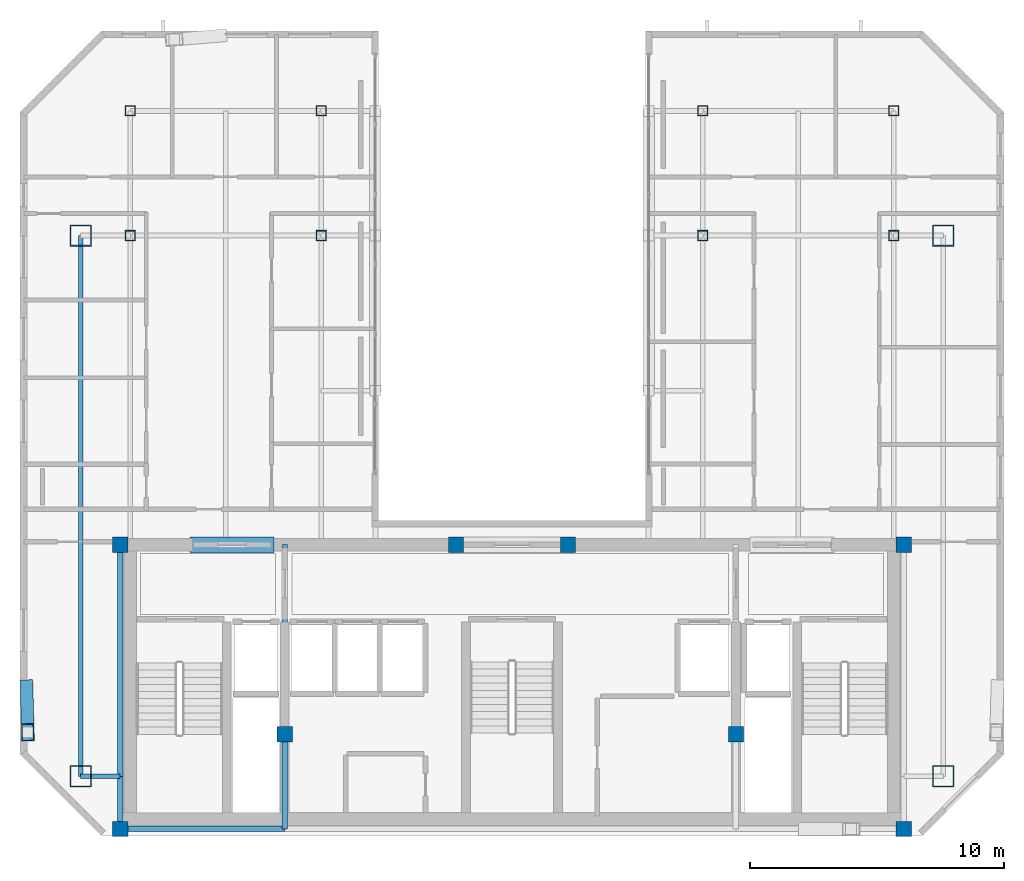
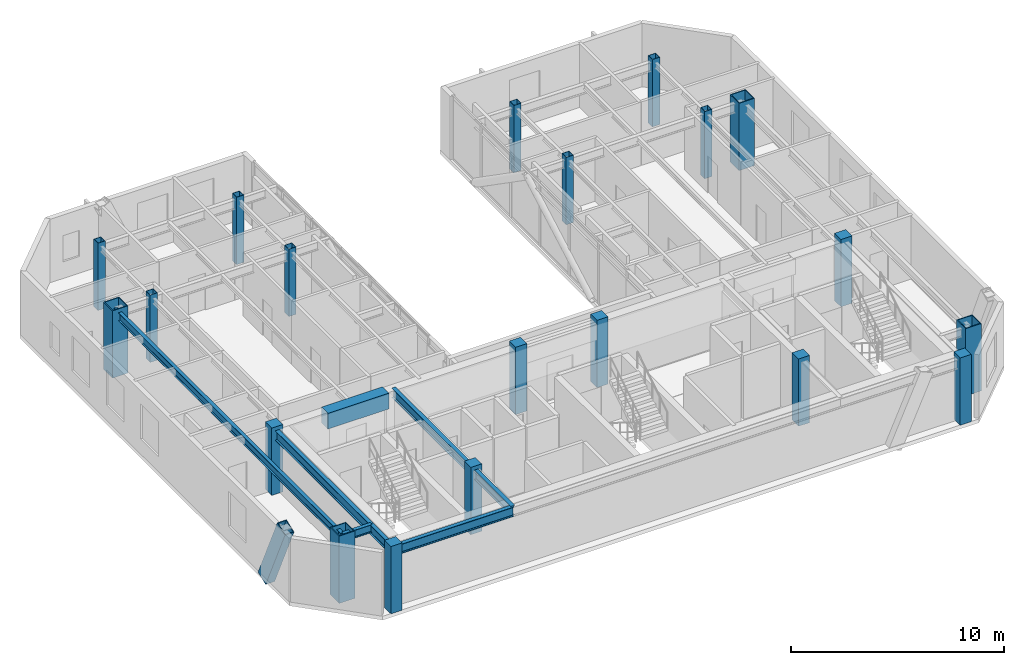
# One storey, part 1 of 18: 20 columns, 8 beams, 1 member.
"""IFC4 building model written with IfcOpenShell, lengths in metres."""

from ifc_helpers import new_model, si_unit, direction, frame, origin, origin_2d, place, context, subcontext, project, spatial, rectangle, hollow_rectangle, i_section, extrude, material, material_profile, profile_set, type_object, element, save


model = new_model("IFC4")

# Units and contexts
model_context = context("Model", 3, precision=1e-05, world=origin(), true_north=direction((0.0, 1.0)))
body_context = subcontext(model_context, "Body", "Model", "MODEL_VIEW")
ifc_project = project(units=[si_unit("LENGTHUNIT", "METRE"), si_unit("AREAUNIT", "SQUARE_METRE"), si_unit("VOLUMEUNIT", "CUBIC_METRE"), si_unit("PLANEANGLEUNIT", "RADIAN"), si_unit("MASSUNIT", "GRAM", prefix="KILO")], contexts=[model_context])

# Site, building, storey
site_placement = place(None, origin())
site = spatial("IfcSite", under=ifc_project, at=site_placement, CompositionType="ELEMENT")
building_placement = place(site_placement, origin())
building = spatial("IfcBuilding", under=site, at=building_placement, Name="Ventersveld Concourse Tower", CompositionType="ELEMENT")
storey_placement = place(building_placement, frame((0.0, 0.0, 341.35009765625)))
storey = spatial("IfcBuildingStorey", under=building, at=storey_placement, Name="L84", CompositionType="ELEMENT", Elevation=341.35009765625)

# Columns
ifc_material_1 = material(Name="Concrete C50/60", Category="concrete")
ifc_material_profile_1 = material_profile(ifc_material_1, rectangle(XDim=0.60009765625, YDim=0.60009765625, at=origin_2d()), Name="RC 600x600")
ifc_profile_set_1 = profile_set([ifc_material_profile_1], Name="Concrete C50/60")
column_type_1 = type_object("IfcColumnType", Name="COL-RC600", PredefinedType="COLUMN", material=ifc_profile_set_1)
for number, where, z_axis, x_axis, name in (
    (1, (13.35009765625, 0.280029296875, 0.0), (0.0, 0.0, 1.0), (1.0, 0.0, 0.0), "L84 Core Spine Column CC-SW"),
    (2, (44.14990234375, 0.280029296875, 0.0), (0.0, 0.0, 1.0), (1.0, 0.0, 0.0), "L84 Core Spine Column CC-SE"),
    (3, (13.35009765625, 11.449951171875, 0.0), (0.0, 0.0, 1.0), (1.0, 0.0, 0.0), "L84 Core Spine Column CC-NW"),
    (4, (44.14990234375, 11.449951171875, 0.0), (0.0, 0.0, 1.0), (1.0, 0.0, 0.0), "L84 Core Spine Column CC-NE"),
    (5, (19.820068359375, 4.0, 0.0), (0.0, 0.0, 1.0), (1.0, 0.0, 0.0), "L84 Core Spine Column CM-1"),
    (6, (37.550048828125, 4.0, 0.0), (0.0, 0.0, 1.0), (1.0, 0.0, 0.0), "L84 Core Spine Column CM-2"),
    (7, (26.550048828125, 11.449951171875, 0.0), (0.0, 0.0, 1.0), (1.0, 0.0, 0.0), "L84 Core Spine Column CM-3"),
    (8, (30.949951171875, 11.449951171875, 0.0), (0.0, 0.0, 1.0), (1.0, 0.0, 0.0), "L84 Core Spine Column CM-4"),
):
    element("IfcColumn", number, at=place(storey_placement, frame(where, z_axis=z_axis, x_axis=x_axis)), inside=storey, type_object=column_type_1, Name=name, PredefinedType="COLUMN", context=body_context, shape_type="SweptSolid", body=[
        extrude(rectangle(XDim=0.60009765625, YDim=0.60009765625, at=origin_2d()), origin(), (0.0, 0.0, 1.0), 3.849853515625),
    ])
ifc_material_2 = material(Name="Structural steel S355J2", Category="steel")
ifc_material_profile_2 = material_profile(ifc_material_2, hollow_rectangle(XDim=0.39990234375, YDim=0.39990234375, WallThickness=0.02001953125, at=origin_2d()), Name="SHS 400x400x20")
ifc_profile_set_2 = profile_set([ifc_material_profile_2], Name="Structural steel S355J2")
column_type_2 = type_object("IfcColumnType", Name="COL-SHS400", PredefinedType="COLUMN", material=ifc_profile_set_2)
for number, where, z_axis, x_axis, name in (
    (9, (13.75, 23.60009765625, 0.0), (0.0, 0.0, 1.0), (1.0, 0.0, 0.0), "L84 Interior Gravity Column X=13.75 Y=23.60"),
    (10, (21.25, 23.60009765625, 0.0), (0.0, 0.0, 1.0), (1.0, 0.0, 0.0), "L84 Interior Gravity Column X=21.25 Y=23.60"),
    (11, (36.25, 23.60009765625, 0.0), (0.0, 0.0, 1.0), (1.0, 0.0, 0.0), "L84 Interior Gravity Column X=36.25 Y=23.60"),
    (12, (43.75, 23.60009765625, 0.0), (0.0, 0.0, 1.0), (1.0, 0.0, 0.0), "L84 Interior Gravity Column X=43.75 Y=23.60"),
    (13, (13.75, 28.5, 0.0), (0.0, 0.0, 1.0), (1.0, 0.0, 0.0), "L84 Upper-North Gravity Column X=13.75 Y=28.50"),
    (14, (21.25, 28.5, 0.0), (0.0, 0.0, 1.0), (1.0, 0.0, 0.0), "L84 Upper-North Gravity Column X=21.25 Y=28.50"),
    (15, (36.25, 28.5, 0.0), (0.0, 0.0, 1.0), (1.0, 0.0, 0.0), "L84 Upper-North Gravity Column X=36.25 Y=28.50"),
    (16, (43.75, 28.5, 0.0), (0.0, 0.0, 1.0), (1.0, 0.0, 0.0), "L84 Upper-North Gravity Column X=43.75 Y=28.50"),
):
    element("IfcColumn", number, at=place(storey_placement, frame(where, z_axis=z_axis, x_axis=x_axis)), inside=storey, type_object=column_type_2, Name=name, PredefinedType="COLUMN", context=body_context, shape_type="SweptSolid", body=[
        extrude(hollow_rectangle(XDim=0.39990234375, YDim=0.39990234375, WallThickness=0.02001953125, at=origin_2d()), origin(), (0.0, 0.0, 1.0), 3.849853515625),
    ])
ifc_material_3 = material(Name="Structural steel S460ML", Category="steel")
ifc_material_profile_3 = material_profile(ifc_material_3, hollow_rectangle(XDim=0.85009765625, YDim=0.85009765625, WallThickness=0.050048828125, at=origin_2d()), Name="BOX 850x850x50")
ifc_profile_set_3 = profile_set([ifc_material_profile_3], Name="Structural steel S460ML")
column_type_3 = type_object("IfcColumnType", Name="MC-850", PredefinedType="USERDEFINED", material=ifc_profile_set_3)
for number, where, z_axis, x_axis, name in (
    (17, (11.800048828125, 2.35009765625, 0.0), (0.0, 0.0, 1.0), (1.0, 0.0, 0.0), "L84 Corner Mega-Column MC-SW"),
    (18, (45.699951171875, 2.35009765625, 0.0), (0.0, 0.0, 1.0), (1.0, 0.0, 0.0), "L84 Corner Mega-Column MC-SE"),
    (19, (45.699951171875, 23.60009765625, 0.0), (0.0, 0.0, 1.0), (1.0, 0.0, 0.0), "L84 Corner Mega-Column MC-NE"),
    (20, (11.800048828125, 23.60009765625, 0.0), (0.0, 0.0, 1.0), (1.0, 0.0, 0.0), "L84 Corner Mega-Column MC-NW"),
):
    element("IfcColumn", number, at=place(storey_placement, frame(where, z_axis=z_axis, x_axis=x_axis)), inside=storey, type_object=column_type_3, Name=name, ObjectType="MEGA_COLUMN", PredefinedType="USERDEFINED", context=body_context, shape_type="SweptSolid", body=[
        extrude(hollow_rectangle(XDim=0.85009765625, YDim=0.85009765625, WallThickness=0.050048828125, at=origin_2d()), origin(), (0.0, 0.0, 1.0), 3.849853515625),
    ])

# Beams
ifc_material_profile_4 = material_profile(ifc_material_1, rectangle(XDim=0.60009765625, YDim=0.89990234375, at=origin_2d()), Name="RC 600x900")
ifc_profile_set_4 = profile_set([ifc_material_profile_4], Name="Concrete C50/60")
beam_type_1 = type_object("IfcBeamType", Name="CB-RC600x900U", PredefinedType="LINTEL", material=ifc_profile_set_4)
beam_1_placement = place(storey_placement, frame((16.10009765625, 11.449951171875, 3.179931640625), z_axis=(1.0, 0.0, 0.0), x_axis=(0.0, 1.0, 0.0)))
element("IfcBeam", 21, at=beam_1_placement, inside=storey, type_object=beam_type_1, Name="L84 Core Coupling Lintel Beam 1", PredefinedType="LINTEL", context=body_context, shape_type="SweptSolid", body=[
    extrude(rectangle(XDim=0.60009765625, YDim=0.89990234375, at=origin_2d()), origin(), (0.0, 0.0, 1.0), 3.2998046875),
])
ifc_material_profile_5 = material_profile(ifc_material_2, i_section(OverallWidth=0.2119140625, OverallDepth=0.54443359375, WebThickness=0.0126953125, FlangeThickness=0.021240234375, FilletRadius=0.0126953125, at=origin_2d()), Name="UB 533x210x122")
ifc_profile_set_5 = profile_set([ifc_material_profile_5], Name="Structural steel S355J2")
beam_type_2 = type_object("IfcBeamType", Name="GRD-UB533H", PredefinedType="T_BEAM", material=ifc_profile_set_5)
beam_2_placement = place(storey_placement, frame((13.35009765625, 0.280029296875, 3.357666015625), z_axis=(0.0, 1.0, 0.0), x_axis=(-1.0, 0.0, 0.0)))
element("IfcBeam", 22, at=beam_2_placement, inside=storey, type_object=beam_type_2, Name="L84 Core West Tie Beam S", PredefinedType="T_BEAM", context=body_context, shape_type="SweptSolid", body=[
    extrude(i_section(OverallWidth=0.2119140625, OverallDepth=0.54443359375, WebThickness=0.0126953125, FlangeThickness=0.021240234375, FilletRadius=0.0126953125, at=origin_2d()), origin(), (0.0, 0.0, 1.0), 2.070068359375),
])
beam_3_placement = place(storey_placement, frame((13.35009765625, 2.35009765625, 3.357666015625), z_axis=(0.0, 1.0, 0.0), x_axis=(-1.0, 0.0, 0.0)))
element("IfcBeam", 23, at=beam_3_placement, inside=storey, type_object=beam_type_2, Name="L84 Core West Tie Beam N", PredefinedType="T_BEAM", context=body_context, shape_type="SweptSolid", body=[
    extrude(i_section(OverallWidth=0.2119140625, OverallDepth=0.54443359375, WebThickness=0.0126953125, FlangeThickness=0.021240234375, FilletRadius=0.0126953125, at=origin_2d()), origin(), (0.0, 0.0, 1.0), 9.099853515625),
])
beam_4_placement = place(storey_placement, frame((13.35009765625, 0.280029296875, 3.357666015625), z_axis=(1.0, 0.0, 0.0), x_axis=(0.0, 1.0, 0.0)))
element("IfcBeam", 24, at=beam_4_placement, inside=storey, type_object=beam_type_2, Name="L84 Core South Tie Beam W", PredefinedType="T_BEAM", context=body_context, shape_type="SweptSolid", body=[
    extrude(i_section(OverallWidth=0.2119140625, OverallDepth=0.54443359375, WebThickness=0.0126953125, FlangeThickness=0.021240234375, FilletRadius=0.0126953125, at=origin_2d()), origin(), (0.0, 0.0, 1.0), 6.469970703125),
])
beam_5_placement = place(storey_placement, frame((19.820068359375, 0.280029296875, 3.357666015625), z_axis=(0.0, 1.0, 0.0), x_axis=(-1.0, 0.0, 0.0)))
element("IfcBeam", 25, at=beam_5_placement, inside=storey, type_object=beam_type_2, Name="L84 Core Spine N-S Tie Beam W1", PredefinedType="T_BEAM", context=body_context, shape_type="SweptSolid", body=[
    extrude(i_section(OverallWidth=0.2119140625, OverallDepth=0.54443359375, WebThickness=0.0126953125, FlangeThickness=0.021240234375, FilletRadius=0.0126953125, at=origin_2d()), origin(), (0.0, 0.0, 1.0), 3.719970703125),
])
beam_6_placement = place(storey_placement, frame((19.820068359375, 4.0, 3.357666015625), z_axis=(0.0, 1.0, 0.0), x_axis=(-1.0, 0.0, 0.0)))
element("IfcBeam", 26, at=beam_6_placement, inside=storey, type_object=beam_type_2, Name="L84 Core Spine N-S Tie Beam W2", PredefinedType="T_BEAM", context=body_context, shape_type="SweptSolid", body=[
    extrude(i_section(OverallWidth=0.2119140625, OverallDepth=0.54443359375, WebThickness=0.0126953125, FlangeThickness=0.021240234375, FilletRadius=0.0126953125, at=origin_2d()), origin(), (0.0, 0.0, 1.0), 7.449951171875),
])

# Member
ifc_material_4 = material(Name="Structural steel S355ML", Category="steel")
ifc_material_profile_6 = material_profile(ifc_material_4, hollow_rectangle(XDim=0.5, YDim=0.75, WallThickness=0.034912109375, at=origin_2d()), Name="BOX 750x500x35")
ifc_profile_set_6 = profile_set([ifc_material_profile_6], Name="Structural steel S355ML")
member_type = type_object("IfcMemberType", Name="MB-750x500", PredefinedType="BRACE", material=ifc_profile_set_6)
member_placement = place(storey_placement, frame((9.672607421875, 5.7978515625, -0.22021484375), z_axis=(0.011632088153, -0.408627733561, 0.912627015757), x_axis=(0.999595083146, 0.028454696461, 0.0)))
element("IfcMember", 27, at=member_placement, inside=storey, type_object=member_type, Name="L84 Exterior Mega-Brace W (Module M20)", PredefinedType="BRACE", context=body_context, shape_type="SweptSolid", body=[
    extrude(hollow_rectangle(XDim=0.5, YDim=0.75, WallThickness=0.034912109375, at=origin_2d()), origin(), (0.0, 0.0, 1.0), 4.21875),
])

# Beams
ifc_material_profile_7 = material_profile(ifc_material_2, i_section(OverallWidth=0.19140625, OverallDepth=0.4599609375, WebThickness=0.010009765625, FlangeThickness=0.01611328125, FilletRadius=0.01025390625, at=origin_2d()), Name="UB 457x191x82")
ifc_profile_set_7 = profile_set([ifc_material_profile_7], Name="Structural steel S355J2")
beam_type_3 = type_object("IfcBeamType", Name="SPD-UB457", PredefinedType="SPANDREL", material=ifc_profile_set_7)
beam_7_placement = place(storey_placement, frame((11.800048828125, 2.35009765625, 3.39990234375), z_axis=(1.0, 0.0, 0.0), x_axis=(0.0, 1.0, 0.0)))
element("IfcBeam", 28, at=beam_7_placement, inside=storey, type_object=beam_type_3, Name="L84 SW Spandrel Beam", PredefinedType="SPANDREL", context=body_context, shape_type="SweptSolid", body=[
    extrude(i_section(OverallWidth=0.19140625, OverallDepth=0.4599609375, WebThickness=0.010009765625, FlangeThickness=0.01611328125, FilletRadius=0.01025390625, at=origin_2d()), origin(), (0.0, 0.0, 1.0), 1.550048828125),
])
beam_8_placement = place(storey_placement, frame((11.800048828125, 2.35009765625, 3.39990234375), z_axis=(0.0, 1.0, 0.0), x_axis=(-1.0, 0.0, 0.0)))
element("IfcBeam", 29, at=beam_8_placement, inside=storey, type_object=beam_type_3, Name="L84 West Spandrel Beam", PredefinedType="SPANDREL", context=body_context, shape_type="SweptSolid", body=[
    extrude(i_section(OverallWidth=0.19140625, OverallDepth=0.4599609375, WebThickness=0.010009765625, FlangeThickness=0.01611328125, FilletRadius=0.01025390625, at=origin_2d()), origin(), (0.0, 0.0, 1.0), 21.25),
])

save(model, "model.ifc")
